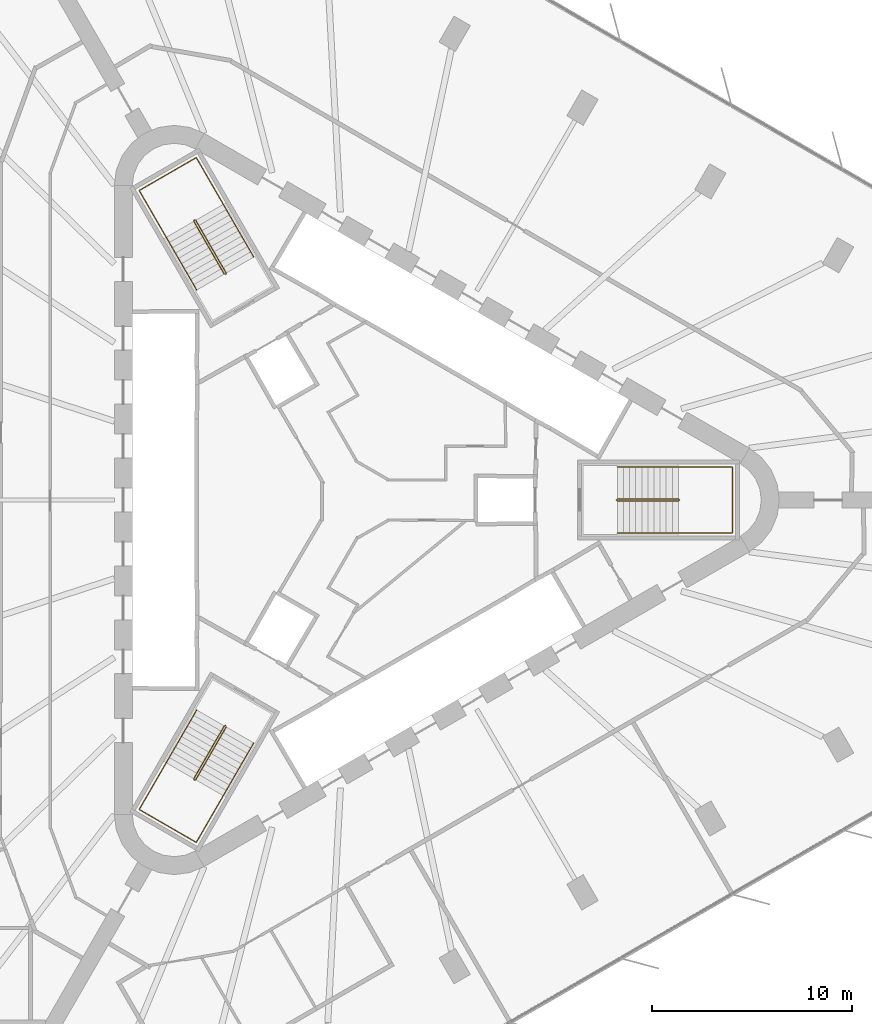
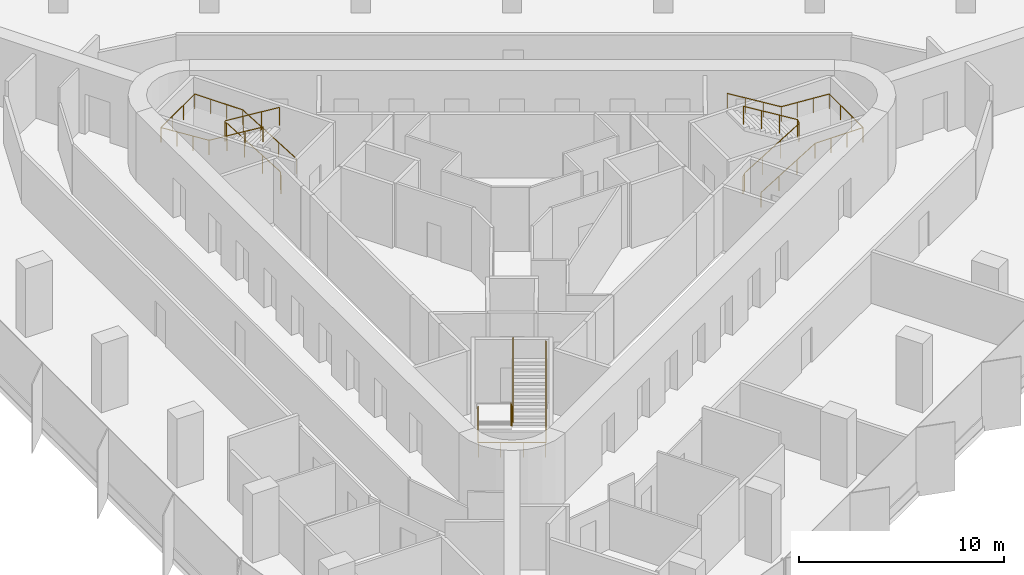
# One storey, part 15 of 15: 6 railings.
"""IFC4 building model written with IfcOpenShell, lengths in metres."""

import ifcopenshell
import ifcopenshell.guid

model = None  # the IFC model being written
_history = None  # IfcOwnerHistory: only IFC2X3 demands one
_inside = {}  # id of a spatial element -> (the spatial element, [elements in it])
_under = {}  # id of a project, library or spatial element -> (it, [spatial elements below it])
_declared = {}  # id of a project -> (the project, [libraries it declares])
_typed = {}  # id of a type object -> (the type object, [elements of that type])
_made_of = {}  # id of a material, layer set ... -> (it, [elements and type objects made of it])


def new_model(schema):
    """Start an empty IFC model of exactly this schema.

    Asked for "IFC4X3", IfcOpenShell would pick the latest addendum, in which some entities
    have other attributes; the version numbers below select the first issue.
    IFC2X3 requires an IfcOwnerHistory on every rooted entity: one is made here for all.
    """
    global model, _history
    if schema == "IFC4X3":
        model = ifcopenshell.file(schema_version=(4, 3, 0, 0))
    else:
        model = ifcopenshell.file(schema=schema)
    _inside.clear()
    _under.clear()
    _declared.clear()
    _typed.clear()
    _made_of.clear()
    _history = None
    if model.schema == "IFC2X3":
        org = make("IfcOrganization", Name="unknown")
        user = make(
            "IfcPersonAndOrganization",
            ThePerson=make("IfcPerson", FamilyName="unknown"),
            TheOrganization=org,
        )
        app = make(
            "IfcApplication",
            ApplicationDeveloper=org,
            Version="unknown",
            ApplicationFullName="unknown",
            ApplicationIdentifier="unknown",
        )
        _history = make(
            "IfcOwnerHistory",
            OwningUser=user,
            OwningApplication=app,
            ChangeAction="ADDED",
            CreationDate=0,
        )
    return model


def make(cls, **values):
    """One entity of the class cls with the attributes given. An attribute that is None is left unset."""
    return model.create_entity(
        cls, **{name: value for name, value in values.items() if value is not None}
    )


def rooted(cls, **values):
    """An entity with a GlobalId (a new one), such as an element, a storey or a relation."""
    return make(cls, GlobalId=ifcopenshell.guid.new(), OwnerHistory=_history, **values)


def si_unit(unit_type, name, prefix=None):
    """IfcSIUnit, for example si_unit("LENGTHUNIT", "METRE", prefix="MILLI")."""
    return make("IfcSIUnit", UnitType=unit_type, Prefix=prefix, Name=name)


def assignment(units):
    """IfcUnitAssignment: the units of a project."""
    return None if units is None else make("IfcUnitAssignment", Units=units)


def point(xyz):
    """IfcCartesianPoint."""
    return None if xyz is None else make("IfcCartesianPoint", Coordinates=xyz)


def direction(xyz):
    """IfcDirection."""
    return None if xyz is None else make("IfcDirection", DirectionRatios=xyz)


def frame(location, z_axis=None, x_axis=None):
    """IfcAxis2Placement3D, a coordinate frame: its origin and axes. An axis left out is left unset."""
    return make(
        "IfcAxis2Placement3D",
        Location=point(location),
        Axis=direction(z_axis),
        RefDirection=direction(x_axis),
    )


def frame_2d(location, x_axis=None):
    """IfcAxis2Placement2D, a coordinate frame in the plane: its origin and x axis."""
    return make(
        "IfcAxis2Placement2D", Location=point(location), RefDirection=direction(x_axis)
    )


def origin():
    """The frame at (0, 0, 0) with its axes left unset."""
    return frame((0.0, 0.0, 0.0))


def origin_2d():
    """The frame at (0, 0) in the plane with its x axis left unset."""
    return frame_2d((0.0, 0.0))


def place(relative_to, where):
    """IfcLocalPlacement: puts the frame where relative to a parent placement (None: the world)."""
    return make(
        "IfcLocalPlacement", PlacementRelTo=relative_to, RelativePlacement=where
    )


def context(
    kind, dimensions, precision=None, world=None, true_north=None, identifier=None
):
    """IfcGeometricRepresentationContext, for example the 3D "Model" context."""
    return make(
        "IfcGeometricRepresentationContext",
        ContextIdentifier=identifier,
        ContextType=kind,
        CoordinateSpaceDimension=dimensions,
        Precision=precision,
        WorldCoordinateSystem=world,
        TrueNorth=true_north,
    )


def subcontext(parent, identifier, kind, view, scale=None):
    """IfcGeometricRepresentationSubContext, for example "Body" below "Model"."""
    return make(
        "IfcGeometricRepresentationSubContext",
        ContextIdentifier=identifier,
        ContextType=kind,
        ParentContext=parent,
        TargetScale=scale,
        TargetView=view,
    )


def project(units=None, contexts=None):
    """IfcProject with its units and contexts."""
    return rooted(
        "IfcProject",
        Name="project",
        RepresentationContexts=contexts,
        UnitsInContext=assignment(units),
    )


def spatial(cls, under=None, at=None, **own):
    """A site, building, storey or space (cls), placed at a placement, below another one or the project."""
    s = rooted(cls, ObjectPlacement=at, **own)
    if under is not None:
        _under.setdefault(under.id(), (under, []))[1].append(s)
    return s


def profile(cls, at=None, kind="AREA", **sizes):
    """A parametric profile (cls). Its sizes go by their IFC names, for example OverallWidth=200.0."""
    return make(cls, ProfileType=kind, Position=at, **sizes)


def circle(**sizes):
    """IfcCircleProfileDef."""
    return profile("IfcCircleProfileDef", **sizes)


def extrude(swept, where, along, depth):
    """IfcExtrudedAreaSolid: the profile swept, set in the frame where, extruded along a direction by depth."""
    return make(
        "IfcExtrudedAreaSolid",
        SweptArea=swept,
        Position=where,
        ExtrudedDirection=direction(along),
        Depth=depth,
    )


def shape(context_of_items, identifier, shape_type, items):
    """IfcShapeRepresentation: the items that make up one representation, for example the "Body"."""
    return make(
        "IfcShapeRepresentation",
        ContextOfItems=context_of_items,
        RepresentationIdentifier=identifier,
        RepresentationType=shape_type,
        Items=items,
    )


def material(Name=None, Category=None):
    """IfcMaterial."""
    return make("IfcMaterial", Name=Name, Category=Category)


def made_of(thing, what):
    """Note that an element or type object is made of a material, layer set ...; save() writes the relation."""
    if what is not None:
        _made_of.setdefault(what.id(), (what, []))[1].append(thing)
    return thing


def type_object(cls, material=None, **own):
    """A type object (cls), such as IfcWallType, which elements share."""
    return made_of(rooted(cls, **own), material)


def element(
    cls,
    number,
    at=None,
    inside=None,
    cuts=None,
    type_object=None,
    material=None,
    context=None,
    identifier="Body",
    shape_type=None,
    held_by="IfcProductDefinitionShape",
    body=None,
    shapes=None,
    **own,
):
    """One element of the class cls, such as IfcWall. Its Tag is "e" and its number.

    at: its placement. inside: the storey or other place that contains it. cuts: it is an
    opening in that element (IfcRelVoidsElement). A single representation is given by context,
    identifier, shape_type and body (its items); several are given by shapes. held_by: the class
    of the entity that holds the representations. save() writes the other relations.
    """
    e = rooted(cls, Tag="e%d" % number, ObjectPlacement=at, **own)
    if body is not None:
        shapes = [shape(context, identifier, shape_type, body)]
    if shapes is not None:
        e.Representation = make(held_by, Representations=shapes)
    if inside is not None:
        _inside.setdefault(inside.id(), (inside, []))[1].append(e)
    if cuts is not None:
        rooted(
            "IfcRelVoidsElement", RelatingBuildingElement=cuts, RelatedOpeningElement=e
        )
    if type_object is not None:
        _typed.setdefault(type_object.id(), (type_object, []))[1].append(e)
    return made_of(e, material)


def aggregate(whole, parts):
    """IfcRelAggregates: a whole, such as a stair, and the parts it consists of."""
    return rooted("IfcRelAggregates", RelatingObject=whole, RelatedObjects=parts)


def save(model, path):
    """Write the relations noted so far, then the file.

    IfcRelAggregates (storeys below a building ...), IfcRelContainedInSpatialStructure (elements
    in a storey), IfcRelDefinesByType, IfcRelAssociatesMaterial and IfcRelDeclares: one each for
    every whole, place, type object, material and project.
    """
    for whole, parts in _under.values():
        aggregate(whole, parts)
    for where, things in _inside.values():
        rooted(
            "IfcRelContainedInSpatialStructure",
            RelatedElements=things,
            RelatingStructure=where,
        )
    for kind, things in _typed.values():
        rooted("IfcRelDefinesByType", RelatedObjects=things, RelatingType=kind)
    for what, things in _made_of.values():
        rooted("IfcRelAssociatesMaterial", RelatedObjects=things, RelatingMaterial=what)
    for by, libraries in _declared.values():
        rooted("IfcRelDeclares", RelatingContext=by, RelatedDefinitions=libraries)
    model.write(path)


model = new_model("IFC4")

# Units and contexts
model_context = context("Model", 3, precision=1e-05, world=origin(), true_north=direction((0.0, 1.0)))
body_context = subcontext(model_context, "Body", "Model", "MODEL_VIEW")
ifc_project = project(units=[si_unit("LENGTHUNIT", "METRE"), si_unit("AREAUNIT", "SQUARE_METRE"), si_unit("VOLUMEUNIT", "CUBIC_METRE"), si_unit("PLANEANGLEUNIT", "RADIAN"), si_unit("MASSUNIT", "GRAM", prefix="KILO")], contexts=[model_context])

# Site, building, storey
site_placement = place(None, origin())
site = spatial("IfcSite", under=ifc_project, at=site_placement, CompositionType="ELEMENT")
building_placement = place(site_placement, origin())
building = spatial("IfcBuilding", under=site, at=building_placement, Name="Tanit Gate Tower", CompositionType="ELEMENT")
storey_placement = place(building_placement, frame((0.0, 0.0, 139.800048828125)))
storey = spatial("IfcBuildingStorey", under=building, at=storey_placement, Name="L30", CompositionType="ELEMENT", Elevation=139.800048828125)

# Railings
ifc_material_1 = material(Name="Stainless steel balustrade", Category="steel")
railing_type_1 = type_object("IfcRailingType", Name="INT-STAIR-GUARD", PredefinedType="GUARDRAIL", material=ifc_material_1)
railing_1_placement = place(storey_placement, frame((13.044921875, 0.0048828125, 0.0)))
element("IfcRailing", 1, at=railing_1_placement, inside=storey, type_object=railing_type_1, Name="L30 S1 stair guard 1", PredefinedType="GUARDRAIL", context=body_context, shape_type="SweptSolid", body=[
    extrude(circle(Radius=0.02392578125, at=origin_2d()), frame((0.0, 0.0, 1.076171875), z_axis=(0.0, -1.0, 0.0), x_axis=(1.0, 0.0, 0.0)), (0.0, 0.0, 1.0), 0.009765625),
    extrude(circle(Radius=0.02392578125, at=origin_2d()), frame((0.0, -0.009765625, 1.076171875), z_axis=(0.251157038772, -0.251157038772, 0.934794246747), x_axis=(0.707106781187, 0.707106781187, 0.0)), (0.0, 0.0, 1.0), 0.19921875),
    extrude(circle(Radius=0.02392578125, at=origin_2d()), frame((0.050048828125, -0.059814453125, 1.26220703125), z_axis=(0.853374658889, 0.0, 0.521298083217), x_axis=(0.0, 1.0, 0.0)), (0.0, 0.0, 1.0), 3.5751953125),
    extrude(circle(Radius=0.02392578125, at=origin_2d()), frame((3.10107421875, -0.059814453125, 3.1259765625), z_axis=(0.707106781187, 0.707106781187, 0.0), x_axis=(-0.707106781187, 0.707106781187, 0.0)), (0.0, 0.0, 1.0), 0.07080078125),
    extrude(circle(Radius=0.02392578125, at=origin_2d()), frame((3.151123046875, -0.009765625, 3.1259765625), z_axis=(0.0, 1.0, 0.0), x_axis=(-1.0, 0.0, 0.0)), (0.0, 0.0, 1.0), 0.009765625),
    extrude(circle(Radius=0.02392578125, at=origin_2d()), frame((3.151123046875, 0.0, 3.1259765625), z_axis=(-0.251157038772, 0.251157038772, 0.934794246747), x_axis=(-0.707106781187, -0.707106781187, 0.0)), (0.0, 0.0, 1.0), 0.19921875),
    extrude(circle(Radius=0.02392578125, at=origin_2d()), frame((3.10107421875, 0.050048828125, 3.3125), z_axis=(-0.853405036568, 0.0, 0.521248351134), x_axis=(0.0, -1.0, 0.0)), (0.0, 0.0, 1.0), 3.5751953125),
    extrude(circle(Radius=0.02099609375, at=origin_2d()), origin(), (0.0, 0.0, 1.0), 1.052001953125),
    extrude(circle(Radius=0.02099609375, at=origin_2d()), frame((0.0, -0.009765625, 0.0)), (0.0, 0.0, 1.0), 1.052001953125),
    extrude(circle(Radius=0.02099609375, at=origin_2d()), frame((0.050048828125, -0.059814453125, 0.186279296875)), (0.0, 0.0, 1.0), 1.052001953125),
    extrude(circle(Radius=0.02099609375, at=origin_2d()), frame((1.067138671875, -0.059814453125, 0.8076171875)), (0.0, 0.0, 1.0), 1.052001953125),
    extrude(circle(Radius=0.02099609375, at=origin_2d()), frame((2.083984375, -0.059814453125, 1.4287109375)), (0.0, 0.0, 1.0), 1.052001953125),
    extrude(circle(Radius=0.02099609375, at=origin_2d()), frame((3.10107421875, -0.059814453125, 2.050048828125)), (0.0, 0.0, 1.0), 1.052001953125),
    extrude(circle(Radius=0.02099609375, at=origin_2d()), frame((3.151123046875, -0.009765625, 2.050048828125)), (0.0, 0.0, 1.0), 1.052001953125),
    extrude(circle(Radius=0.02099609375, at=origin_2d()), frame((3.151123046875, 0.0, 2.050048828125)), (0.0, 0.0, 1.0), 1.052001953125),
    extrude(circle(Radius=0.02099609375, at=origin_2d()), frame((3.10107421875, 0.050048828125, 2.236328125)), (0.0, 0.0, 1.0), 1.052001953125),
    extrude(circle(Radius=0.02099609375, at=origin_2d()), frame((2.083984375, 0.050048828125, 2.857421875)), (0.0, 0.0, 1.0), 1.052001953125),
    extrude(circle(Radius=0.02099609375, at=origin_2d()), frame((1.067138671875, 0.050048828125, 3.478759765625)), (0.0, 0.0, 1.0), 1.052001953125),
    extrude(circle(Radius=0.02099609375, at=origin_2d()), frame((0.050048828125, 0.050048828125, 4.099853515625)), (0.0, 0.0, 1.0), 1.052001953125),
])
railing_2_placement = place(storey_placement, frame((-6.527099609375, 11.29345703125, 0.0)))
element("IfcRailing", 2, at=railing_2_placement, inside=storey, type_object=railing_type_1, Name="L30 S2 stair guard 1", PredefinedType="GUARDRAIL", context=body_context, shape_type="SweptSolid", body=[
    extrude(circle(Radius=0.02392578125, at=origin_2d()), frame((0.0, 0.0, 1.076171875), z_axis=(0.868243142124, 0.496138938357, 0.0), x_axis=(-0.496138938357, 0.868243142124, 0.0)), (0.0, 0.0, 1.0), 0.01171875),
    extrude(circle(Radius=0.02392578125, at=origin_2d()), frame((0.01025390625, 0.005859375, 1.076171875), z_axis=(0.091888445584, 0.343050196848, 0.93481178641), x_axis=(-0.965948051503, 0.258736085224, 0.0)), (0.0, 0.0, 1.0), 0.19921875),
    extrude(circle(Radius=0.02392578125, at=origin_2d()), frame((0.028564453125, 0.07421875, 1.26220703125), z_axis=(-0.426636495959, 0.738911183393, 0.521528104107), x_axis=(-0.866012246495, -0.500022788402, 0.0)), (0.0, 0.0, 1.0), 3.57373046875),
    extrude(circle(Radius=0.02392578125, at=origin_2d()), frame((-1.49609375, 2.71484375, 3.1259765625), z_axis=(-0.965715946433, 0.259601060869, 0.0), x_axis=(-0.259601060869, -0.965715946433, 0.0)), (0.0, 0.0, 1.0), 0.070556640625),
    extrude(circle(Radius=0.02392578125, at=origin_2d()), frame((-1.564208984375, 2.733154296875, 3.1259765625), z_axis=(-0.873197702015, -0.487366159264, 0.0), x_axis=(0.487366159264, -0.873197702015, 0.0)), (0.0, 0.0, 1.0), 0.011962890625),
    extrude(circle(Radius=0.02392578125, at=origin_2d()), frame((-1.57470703125, 2.727294921875, 3.1259765625), z_axis=(-0.091888445584, -0.343050196848, 0.93481178641), x_axis=(0.965948051503, -0.258736085224, 0.0)), (0.0, 0.0, 1.0), 0.19921875),
    extrude(circle(Radius=0.02392578125, at=origin_2d()), frame((-1.593017578125, 2.658935546875, 3.3125), z_axis=(0.426651696395, -0.73893750972, 0.521478366466), x_axis=(0.866012246495, 0.500022788402, 0.0)), (0.0, 0.0, 1.0), 3.573486328125),
    extrude(circle(Radius=0.02099609375, at=origin_2d()), origin(), (0.0, 0.0, 1.0), 1.052001953125),
    extrude(circle(Radius=0.02099609375, at=origin_2d()), frame((0.01025390625, 0.005859375, 0.0)), (0.0, 0.0, 1.0), 1.052001953125),
    extrude(circle(Radius=0.02099609375, at=origin_2d()), frame((0.028564453125, 0.07421875, 0.186279296875)), (0.0, 0.0, 1.0), 1.052001953125),
    extrude(circle(Radius=0.02099609375, at=origin_2d()), frame((-0.479736328125, 0.954345703125, 0.8076171875)), (0.0, 0.0, 1.0), 1.052001953125),
    extrude(circle(Radius=0.02099609375, at=origin_2d()), frame((-0.98779296875, 1.834716796875, 1.4287109375)), (0.0, 0.0, 1.0), 1.052001953125),
    extrude(circle(Radius=0.02099609375, at=origin_2d()), frame((-1.49609375, 2.71484375, 2.050048828125)), (0.0, 0.0, 1.0), 1.052001953125),
    extrude(circle(Radius=0.02099609375, at=origin_2d()), frame((-1.564208984375, 2.733154296875, 2.050048828125)), (0.0, 0.0, 1.0), 1.052001953125),
    extrude(circle(Radius=0.02099609375, at=origin_2d()), frame((-1.57470703125, 2.727294921875, 2.050048828125)), (0.0, 0.0, 1.0), 1.052001953125),
    extrude(circle(Radius=0.02099609375, at=origin_2d()), frame((-1.593017578125, 2.658935546875, 2.236328125)), (0.0, 0.0, 1.0), 1.052001953125),
    extrude(circle(Radius=0.02099609375, at=origin_2d()), frame((-1.084716796875, 1.77880859375, 2.857421875)), (0.0, 0.0, 1.0), 1.052001953125),
    extrude(circle(Radius=0.02099609375, at=origin_2d()), frame((-0.57666015625, 0.8984375, 3.478759765625)), (0.0, 0.0, 1.0), 1.052001953125),
    extrude(circle(Radius=0.02099609375, at=origin_2d()), frame((-0.068359375, 0.018310546875, 4.099853515625)), (0.0, 0.0, 1.0), 1.052001953125),
])
railing_3_placement = place(storey_placement, frame((-6.51806640625, -11.2998046875, 0.0)))
element("IfcRailing", 3, at=railing_3_placement, inside=storey, type_object=railing_type_1, Name="L30 S3 stair guard 1", PredefinedType="GUARDRAIL", context=body_context, shape_type="SweptSolid", body=[
    extrude(circle(Radius=0.02392578125, at=origin_2d()), frame((0.0, 0.0, 1.076171875), z_axis=(-0.874157276122, 0.485642931179, 0.0), x_axis=(-0.485642931179, -0.874157276122, 0.0)), (0.0, 0.0, 1.0), 0.010009765625),
    extrude(circle(Radius=0.02392578125, at=origin_2d()), frame((-0.0087890625, 0.0048828125, 1.076171875), z_axis=(-0.343088566343, -0.090673406819, 0.934916343285), x_axis=(0.255512919477, -0.966805641264, 0.0)), (0.0, 0.0, 1.0), 0.19921875),
    extrude(circle(Radius=0.02392578125, at=origin_2d()), frame((-0.0771484375, -0.01318359375, 1.26220703125), z_axis=(-0.42665336134, -0.739063593114, 0.52129829713), x_axis=(0.866048339477, -0.499960272111, 0.0)), (0.0, 0.0, 1.0), 3.5751953125),
    extrude(circle(Radius=0.02392578125, at=origin_2d()), frame((-1.6025390625, -2.655517578125, 3.1259765625), z_axis=(0.258736085224, -0.965948051503, 0.0), x_axis=(0.965948051503, 0.258736085224, 0.0)), (0.0, 0.0, 1.0), 0.07080078125),
    extrude(circle(Radius=0.02392578125, at=origin_2d()), frame((-1.584228515625, -2.723876953125, 3.1259765625), z_axis=(0.868243142124, -0.496138938357, 0.0), x_axis=(0.496138938357, 0.868243142124, 0.0)), (0.0, 0.0, 1.0), 0.009765625),
    extrude(circle(Radius=0.02392578125, at=origin_2d()), frame((-1.57568359375, -2.728759765625, 3.1259765625), z_axis=(0.343050196848, 0.091888445584, 0.93481178641), x_axis=(-0.258736085224, 0.965948051503, 0.0)), (0.0, 0.0, 1.0), 0.19921875),
    extrude(circle(Radius=0.02392578125, at=origin_2d()), frame((-1.50732421875, -2.71044921875, 3.3125), z_axis=(0.426745940485, 0.73903737685, 0.521259683745), x_axis=(-0.865993683553, 0.500054937028, 0.0)), (0.0, 0.0, 1.0), 3.574951171875),
    extrude(circle(Radius=0.02099609375, at=origin_2d()), origin(), (0.0, 0.0, 1.0), 1.052001953125),
    extrude(circle(Radius=0.02099609375, at=origin_2d()), frame((-0.0087890625, 0.0048828125, 0.0)), (0.0, 0.0, 1.0), 1.052001953125),
    extrude(circle(Radius=0.02099609375, at=origin_2d()), frame((-0.0771484375, -0.01318359375, 0.186279296875)), (0.0, 0.0, 1.0), 1.052001953125),
    extrude(circle(Radius=0.02099609375, at=origin_2d()), frame((-0.585693359375, -0.89404296875, 0.8076171875)), (0.0, 0.0, 1.0), 1.052001953125),
    extrude(circle(Radius=0.02099609375, at=origin_2d()), frame((-1.093994140625, -1.774658203125, 1.4287109375)), (0.0, 0.0, 1.0), 1.052001953125),
    extrude(circle(Radius=0.02099609375, at=origin_2d()), frame((-1.6025390625, -2.655517578125, 2.050048828125)), (0.0, 0.0, 1.0), 1.052001953125),
    extrude(circle(Radius=0.02099609375, at=origin_2d()), frame((-1.584228515625, -2.723876953125, 2.050048828125)), (0.0, 0.0, 1.0), 1.052001953125),
    extrude(circle(Radius=0.02099609375, at=origin_2d()), frame((-1.57568359375, -2.728759765625, 2.050048828125)), (0.0, 0.0, 1.0), 1.052001953125),
    extrude(circle(Radius=0.02099609375, at=origin_2d()), frame((-1.50732421875, -2.71044921875, 2.236328125)), (0.0, 0.0, 1.0), 1.052001953125),
    extrude(circle(Radius=0.02099609375, at=origin_2d()), frame((-0.998779296875, -1.829833984375, 2.857421875)), (0.0, 0.0, 1.0), 1.052001953125),
    extrude(circle(Radius=0.02099609375, at=origin_2d()), frame((-0.490234375, -0.948974609375, 3.478759765625)), (0.0, 0.0, 1.0), 1.052001953125),
    extrude(circle(Radius=0.02099609375, at=origin_2d()), frame((0.018310546875, -0.068359375, 4.099853515625)), (0.0, 0.0, 1.0), 1.052001953125),
])
ifc_material_2 = material(Name="Stainless steel handrail", Category="steel")
railing_type_2 = type_object("IfcRailingType", Name="INT-STAIR-HANDRAIL", PredefinedType="HANDRAIL", material=ifc_material_2)
railing_4_placement = place(storey_placement, frame((13.094970703125, -1.64990234375, 0.186279296875)))
element("IfcRailing", 4, at=railing_4_placement, inside=storey, type_object=railing_type_2, Name="L30 S1 stair handrail 1", PredefinedType="HANDRAIL", context=body_context, shape_type="SweptSolid", body=[
    extrude(circle(Radius=0.02392578125, at=origin_2d()), frame((0.0, 0.0, 0.8759765625), z_axis=(0.853374658889, 0.0, 0.521298083217), x_axis=(0.0, 1.0, 0.0)), (0.0, 0.0, 1.0), 3.5751953125),
    extrude(circle(Radius=0.02392578125, at=origin_2d()), frame((3.051025390625, 0.0, 2.73974609375), z_axis=(1.0, 0.0, 0.0), x_axis=(0.0, 1.0, 0.0)), (0.0, 0.0, 1.0), 2.7041015625),
    extrude(circle(Radius=0.02392578125, at=origin_2d()), frame((5.755126953125, 0.0, 2.73974609375), z_axis=(0.0, 1.0, 0.0), x_axis=(-1.0, 0.0, 0.0)), (0.0, 0.0, 1.0), 3.2998046875),
    extrude(circle(Radius=0.02392578125, at=origin_2d()), frame((5.755126953125, 3.2998046875, 2.73974609375), z_axis=(-0.997635655124, 0.0, 0.06872481084), x_axis=(0.0, -1.0, 0.0)), (0.0, 0.0, 1.0), 2.71044921875),
    extrude(circle(Radius=0.02392578125, at=origin_2d()), frame((3.051025390625, 3.2998046875, 2.92578125), z_axis=(-0.853405036568, 0.0, 0.521248351134), x_axis=(0.0, -1.0, 0.0)), (0.0, 0.0, 1.0), 3.5751953125),
    extrude(circle(Radius=0.02099609375, at=origin_2d()), origin(), (0.0, 0.0, 1.0), 0.851806640625),
    extrude(circle(Radius=0.02099609375, at=origin_2d()), frame((1.01708984375, 0.0, 0.621337890625)), (0.0, 0.0, 1.0), 0.851806640625),
    extrude(circle(Radius=0.02099609375, at=origin_2d()), frame((2.033935546875, 0.0, 1.242431640625)), (0.0, 0.0, 1.0), 0.851806640625),
    extrude(circle(Radius=0.02099609375, at=origin_2d()), frame((3.051025390625, 0.0, 1.86376953125)), (0.0, 0.0, 1.0), 0.851806640625),
    extrude(circle(Radius=0.02099609375, at=origin_2d()), frame((3.952392578125, 0.0, 1.86376953125)), (0.0, 0.0, 1.0), 0.851806640625),
    extrude(circle(Radius=0.02099609375, at=origin_2d()), frame((4.853759765625, 0.0, 1.86376953125)), (0.0, 0.0, 1.0), 0.851806640625),
    extrude(circle(Radius=0.02099609375, at=origin_2d()), frame((5.755126953125, 0.0, 1.86376953125)), (0.0, 0.0, 1.0), 0.851806640625),
    extrude(circle(Radius=0.02099609375, at=origin_2d()), frame((5.755126953125, 1.099853515625, 1.86376953125)), (0.0, 0.0, 1.0), 0.851806640625),
    extrude(circle(Radius=0.02099609375, at=origin_2d()), frame((5.755126953125, 2.199951171875, 1.86376953125)), (0.0, 0.0, 1.0), 0.851806640625),
    extrude(circle(Radius=0.02099609375, at=origin_2d()), frame((5.755126953125, 3.2998046875, 1.86376953125)), (0.0, 0.0, 1.0), 0.851806640625),
    extrude(circle(Radius=0.02099609375, at=origin_2d()), frame((4.853759765625, 3.2998046875, 1.92578125)), (0.0, 0.0, 1.0), 0.851806640625),
    extrude(circle(Radius=0.02099609375, at=origin_2d()), frame((3.952392578125, 3.2998046875, 1.988037109375)), (0.0, 0.0, 1.0), 0.851806640625),
    extrude(circle(Radius=0.02099609375, at=origin_2d()), frame((3.051025390625, 3.2998046875, 2.050048828125)), (0.0, 0.0, 1.0), 0.851806640625),
    extrude(circle(Radius=0.02099609375, at=origin_2d()), frame((2.033935546875, 3.2998046875, 2.671142578125)), (0.0, 0.0, 1.0), 0.851806640625),
    extrude(circle(Radius=0.02099609375, at=origin_2d()), frame((1.01708984375, 3.2998046875, 3.29248046875)), (0.0, 0.0, 1.0), 0.851806640625),
    extrude(circle(Radius=0.02099609375, at=origin_2d()), frame((0.0, 3.2998046875, 3.91357421875)), (0.0, 0.0, 1.0), 0.851806640625),
])
railing_5_placement = place(storey_placement, frame((-5.1181640625, 12.164794921875, 0.186279296875)))
element("IfcRailing", 5, at=railing_5_placement, inside=storey, type_object=railing_type_2, Name="L30 S2 stair handrail 1", PredefinedType="HANDRAIL", context=body_context, shape_type="SweptSolid", body=[
    extrude(circle(Radius=0.02392578125, at=origin_2d()), frame((0.0, 0.0, 0.8759765625), z_axis=(-0.426580611902, 0.738932719144, 0.521543304174), x_axis=(-0.866046917185, -0.499962735845, 0.0)), (0.0, 0.0, 1.0), 3.573486328125),
    extrude(circle(Radius=0.02392578125, at=origin_2d()), frame((-1.5244140625, 2.640625, 2.73974609375), z_axis=(-0.500019123664, 0.86601436245, 0.0), x_axis=(-0.86601436245, -0.500019123664, 0.0)), (0.0, 0.0, 1.0), 2.70703125),
    extrude(circle(Radius=0.02392578125, at=origin_2d()), frame((-2.8779296875, 4.98486328125, 2.73974609375), z_axis=(-0.866008176907, -0.50002983664, 0.0), x_axis=(0.50002983664, -0.866008176907, 0.0)), (0.0, 0.0, 1.0), 3.300048828125),
    extrude(circle(Radius=0.02392578125, at=origin_2d()), frame((-5.73583984375, 3.334716796875, 2.73974609375), z_axis=(0.498878146149, -0.863948246966, 0.06865873476), x_axis=(0.865991810323, 0.500058181068, 0.0)), (0.0, 0.0, 1.0), 2.713134765625),
    extrude(circle(Radius=0.02392578125, at=origin_2d()), frame((-4.38232421875, 0.99072265625, 2.92578125), z_axis=(0.426630158194, -0.738968522208, 0.521452041232), x_axis=(0.866032263162, 0.499988119021, 0.0)), (0.0, 0.0, 1.0), 3.57373046875),
    extrude(circle(Radius=0.02099609375, at=origin_2d()), origin(), (0.0, 0.0, 1.0), 0.851806640625),
    extrude(circle(Radius=0.02099609375, at=origin_2d()), frame((-0.508056640625, 0.880126953125, 0.621337890625)), (0.0, 0.0, 1.0), 0.851806640625),
    extrude(circle(Radius=0.02099609375, at=origin_2d()), frame((-1.016357421875, 1.760498046875, 1.242431640625)), (0.0, 0.0, 1.0), 0.851806640625),
    extrude(circle(Radius=0.02099609375, at=origin_2d()), frame((-1.5244140625, 2.640625, 1.86376953125)), (0.0, 0.0, 1.0), 0.851806640625),
    extrude(circle(Radius=0.02099609375, at=origin_2d()), frame((-1.9755859375, 3.422119140625, 1.86376953125)), (0.0, 0.0, 1.0), 0.851806640625),
    extrude(circle(Radius=0.02099609375, at=origin_2d()), frame((-2.4267578125, 4.203369140625, 1.86376953125)), (0.0, 0.0, 1.0), 0.851806640625),
    extrude(circle(Radius=0.02099609375, at=origin_2d()), frame((-2.8779296875, 4.98486328125, 1.86376953125)), (0.0, 0.0, 1.0), 0.851806640625),
    extrude(circle(Radius=0.02099609375, at=origin_2d()), frame((-3.83056640625, 4.434814453125, 1.86376953125)), (0.0, 0.0, 1.0), 0.851806640625),
    extrude(circle(Radius=0.02099609375, at=origin_2d()), frame((-4.783203125, 3.884765625, 1.86376953125)), (0.0, 0.0, 1.0), 0.851806640625),
    extrude(circle(Radius=0.02099609375, at=origin_2d()), frame((-5.73583984375, 3.334716796875, 1.86376953125)), (0.0, 0.0, 1.0), 0.851806640625),
    extrude(circle(Radius=0.02099609375, at=origin_2d()), frame((-5.28466796875, 2.553466796875, 1.92578125)), (0.0, 0.0, 1.0), 0.851806640625),
    extrude(circle(Radius=0.02099609375, at=origin_2d()), frame((-4.83349609375, 1.77197265625, 1.988037109375)), (0.0, 0.0, 1.0), 0.851806640625),
    extrude(circle(Radius=0.02099609375, at=origin_2d()), frame((-4.38232421875, 0.99072265625, 2.050048828125)), (0.0, 0.0, 1.0), 0.851806640625),
    extrude(circle(Radius=0.02099609375, at=origin_2d()), frame((-3.8740234375, 0.1103515625, 2.671142578125)), (0.0, 0.0, 1.0), 0.851806640625),
    extrude(circle(Radius=0.02099609375, at=origin_2d()), frame((-3.365966796875, -0.769775390625, 3.29248046875)), (0.0, 0.0, 1.0), 0.851806640625),
    extrude(circle(Radius=0.02099609375, at=origin_2d()), frame((-2.857666015625, -1.650146484375, 3.91357421875)), (0.0, 0.0, 1.0), 0.851806640625),
])
railing_6_placement = place(storey_placement, frame((-7.9765625, -10.515625, 0.186279296875)))
element("IfcRailing", 6, at=railing_6_placement, inside=storey, type_object=railing_type_2, Name="L30 S3 stair handrail 1", PredefinedType="HANDRAIL", context=body_context, shape_type="SweptSolid", body=[
    extrude(circle(Radius=0.02392578125, at=origin_2d()), frame((0.0, 0.0, 0.8759765625), z_axis=(-0.42665336134, -0.739063593114, 0.52129829713), x_axis=(0.866048339477, -0.499960272111, 0.0)), (0.0, 0.0, 1.0), 3.5751953125),
    extrude(circle(Radius=0.02392578125, at=origin_2d()), frame((-1.525390625, -2.642333984375, 2.73974609375), z_axis=(-0.50004290449, -0.866000631449, 0.0), x_axis=(0.866000631449, -0.50004290449, 0.0)), (0.0, 0.0, 1.0), 2.703857421875),
    extrude(circle(Radius=0.02392578125, at=origin_2d()), frame((-2.87744140625, -4.98388671875, 2.73974609375), z_axis=(0.866008176907, -0.50002983664, 0.0), x_axis=(0.50002983664, 0.866008176907, 0.0)), (0.0, 0.0, 1.0), 3.300048828125),
    extrude(circle(Radius=0.02392578125, at=origin_2d()), frame((-0.01953125, -6.634033203125, 2.73974609375), z_axis=(0.498821607388, 0.86397559734, 0.068725331607), x_axis=(-0.866023205937, 0.500003806764, 0.0)), (0.0, 0.0, 1.0), 2.71044921875),
    extrude(circle(Radius=0.02392578125, at=origin_2d()), frame((1.33251953125, -4.292236328125, 2.92578125), z_axis=(0.426668548982, 0.73908990167, 0.521248565042), x_axis=(-0.866048339477, 0.499960272111, 0.0)), (0.0, 0.0, 1.0), 3.5751953125),
    extrude(circle(Radius=0.02099609375, at=origin_2d()), origin(), (0.0, 0.0, 1.0), 0.851806640625),
    extrude(circle(Radius=0.02099609375, at=origin_2d()), frame((-0.508544921875, -0.880859375, 0.621337890625)), (0.0, 0.0, 1.0), 0.851806640625),
    extrude(circle(Radius=0.02099609375, at=origin_2d()), frame((-1.016845703125, -1.761474609375, 1.242431640625)), (0.0, 0.0, 1.0), 0.851806640625),
    extrude(circle(Radius=0.02099609375, at=origin_2d()), frame((-1.525390625, -2.642333984375, 1.86376953125)), (0.0, 0.0, 1.0), 0.851806640625),
    extrude(circle(Radius=0.02099609375, at=origin_2d()), frame((-1.97607421875, -3.4228515625, 1.86376953125)), (0.0, 0.0, 1.0), 0.851806640625),
    extrude(circle(Radius=0.02099609375, at=origin_2d()), frame((-2.4267578125, -4.203369140625, 1.86376953125)), (0.0, 0.0, 1.0), 0.851806640625),
    extrude(circle(Radius=0.02099609375, at=origin_2d()), frame((-2.87744140625, -4.98388671875, 1.86376953125)), (0.0, 0.0, 1.0), 0.851806640625),
    extrude(circle(Radius=0.02099609375, at=origin_2d()), frame((-1.9248046875, -5.533935546875, 1.86376953125)), (0.0, 0.0, 1.0), 0.851806640625),
    extrude(circle(Radius=0.02099609375, at=origin_2d()), frame((-0.97216796875, -6.083984375, 1.86376953125)), (0.0, 0.0, 1.0), 0.851806640625),
    extrude(circle(Radius=0.02099609375, at=origin_2d()), frame((-0.01953125, -6.634033203125, 1.86376953125)), (0.0, 0.0, 1.0), 0.851806640625),
    extrude(circle(Radius=0.02099609375, at=origin_2d()), frame((0.43115234375, -5.853515625, 1.92578125)), (0.0, 0.0, 1.0), 0.851806640625),
    extrude(circle(Radius=0.02099609375, at=origin_2d()), frame((0.8818359375, -5.07275390625, 1.988037109375)), (0.0, 0.0, 1.0), 0.851806640625),
    extrude(circle(Radius=0.02099609375, at=origin_2d()), frame((1.33251953125, -4.292236328125, 2.050048828125)), (0.0, 0.0, 1.0), 0.851806640625),
    extrude(circle(Radius=0.02099609375, at=origin_2d()), frame((1.841064453125, -3.411376953125, 2.671142578125)), (0.0, 0.0, 1.0), 0.851806640625),
    extrude(circle(Radius=0.02099609375, at=origin_2d()), frame((2.349365234375, -2.53076171875, 3.29248046875)), (0.0, 0.0, 1.0), 0.851806640625),
    extrude(circle(Radius=0.02099609375, at=origin_2d()), frame((2.85791015625, -1.64990234375, 3.91357421875)), (0.0, 0.0, 1.0), 0.851806640625),
])

save(model, "model.ifc")
